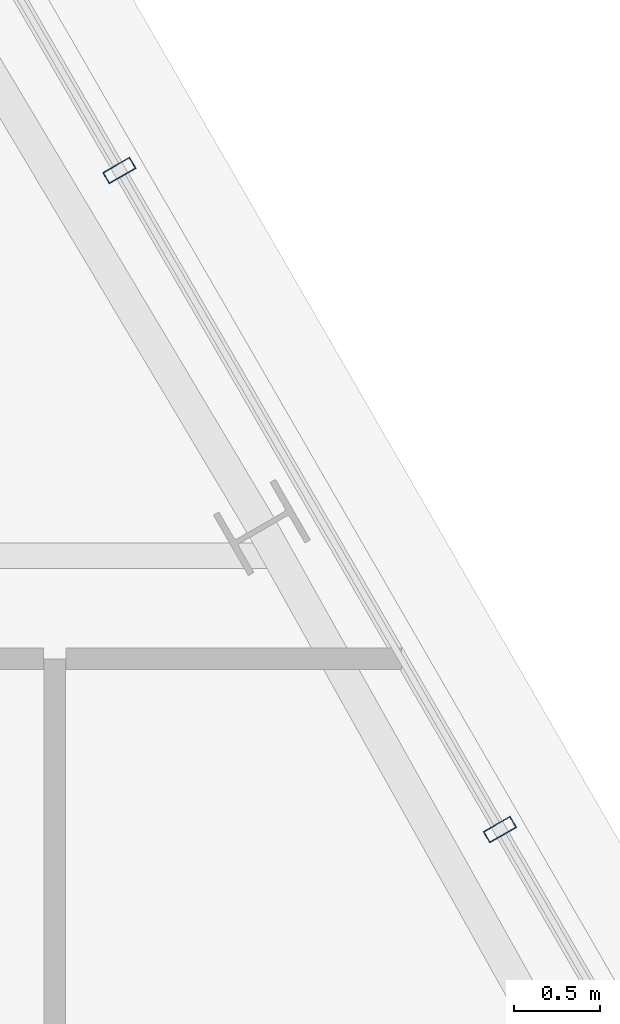
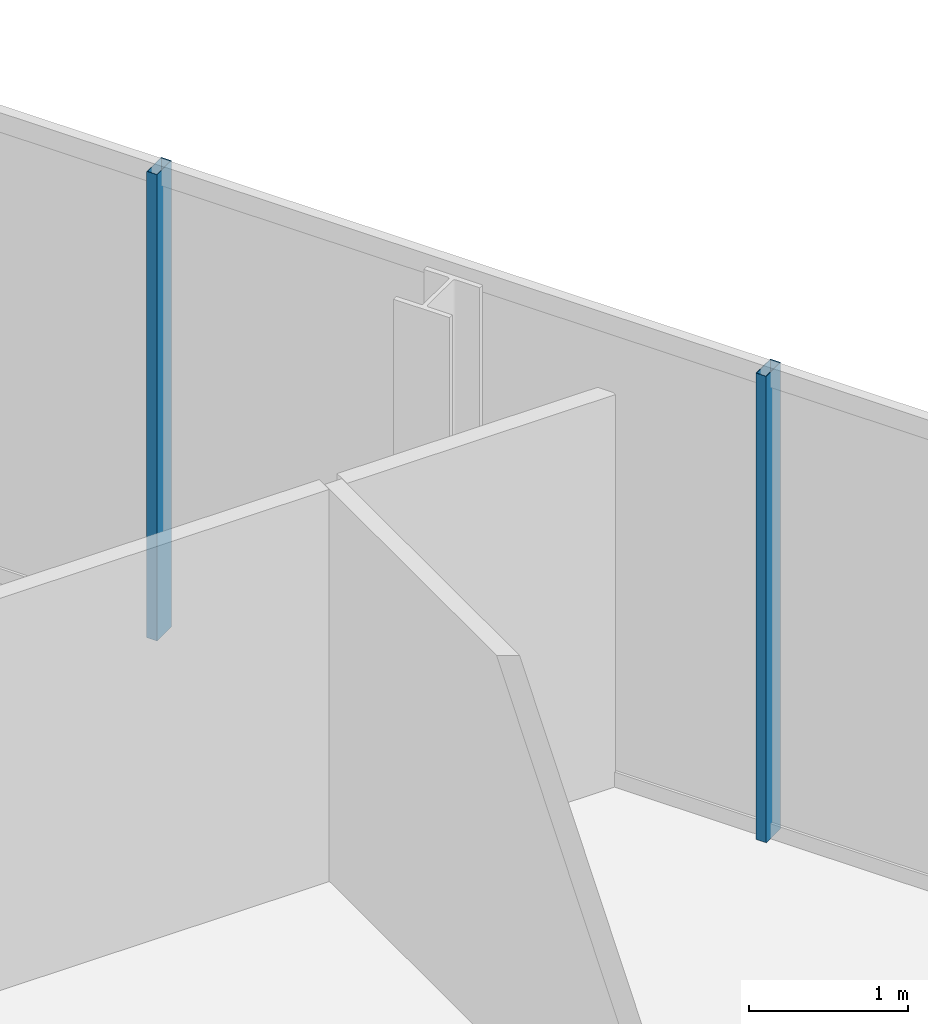
# One storey, part 26 of 34: 2 members, 1 element without a shape of its own.
"""IFC4 building model written with IfcOpenShell, lengths in metres."""

from ifc_helpers import new_model, si_unit, direction, frame, origin, origin_2d, place, context, subcontext, project, spatial, hollow_rectangle, extrude, material, layer, layer_set, material_profile, profile_set, type_object, element, aggregate, save


model = new_model("IFC4")

# Units and contexts
model_context = context("Model", 3, precision=1e-05, world=origin(), true_north=direction((0.0, 1.0)))
body_context = subcontext(model_context, "Body", "Model", "MODEL_VIEW")
ifc_project = project(units=[si_unit("LENGTHUNIT", "METRE"), si_unit("AREAUNIT", "SQUARE_METRE"), si_unit("VOLUMEUNIT", "CUBIC_METRE"), si_unit("PLANEANGLEUNIT", "RADIAN"), si_unit("MASSUNIT", "GRAM", prefix="KILO")], contexts=[model_context])

# Site, building, storey
site_placement = place(None, origin())
site = spatial("IfcSite", under=ifc_project, at=site_placement, CompositionType="ELEMENT")
building_placement = place(site_placement, origin())
building = spatial("IfcBuilding", under=site, at=building_placement, Name="Ndaravel Arena Tower", CompositionType="ELEMENT")
storey_placement = place(building_placement, frame((0.0, 0.0, 263.60009765625)))
storey = spatial("IfcBuildingStorey", under=building, at=storey_placement, Name="L64", CompositionType="ELEMENT", Elevation=263.60009765625)

# Curtain wall, members
ifc_material_1 = material(Name="Aluminium", Category="aluminium")
ifc_layer = layer(ifc_material_1, 0.179931640625)
ifc_layer_set = layer_set([ifc_layer], Name="Aluminium")
curtain_wall_type = type_object("IfcCurtainWallType", Name="CW-SYS-03", PredefinedType="NOTDEFINED", material=ifc_layer_set)
curtain_wall_placement = place(storey_placement, origin())
curtain_wall = element("IfcCurtainWall", 1, at=curtain_wall_placement, inside=storey, type_object=curtain_wall_type, Name="L64 Faceted Crystal Curtain Wall CW-L64-E03", PredefinedType="NOTDEFINED")
ifc_material_2 = material(Name="Aluminium", Category="aluminium")
ifc_material_profile = material_profile(ifc_material_2, hollow_rectangle(XDim=0.074951171875, YDim=0.179931640625, WallThickness=0.00390625, at=origin_2d()), Name="CW MULLION 75x180x4")
ifc_profile_set = profile_set([ifc_material_profile], Name="Aluminium")
member_type = type_object("IfcMemberType", Name="MEM-CW-MUL180", PredefinedType="MULLION", material=ifc_profile_set)
member_1_placement = place(storey_placement, frame((55.786376953125, 25.20849609375, 0.0), z_axis=(0.0, 0.0, 1.0), x_axis=(-0.5, 0.866025403784, 0.0)))
member_1 = element("IfcMember", 2, at=member_1_placement, type_object=member_type, Name="CW-L64-E03 Mullion 04", PredefinedType="MULLION", context=body_context, shape_type="SweptSolid", body=[
    extrude(hollow_rectangle(XDim=0.074951171875, YDim=0.179931640625, WallThickness=0.00390625, at=origin_2d()), origin(), (0.0, 0.0, 1.0), 3.579833984375),
])
member_2_placement = place(storey_placement, frame((53.5751953125, 29.03857421875, 0.0), z_axis=(0.0, 0.0, 1.0), x_axis=(-0.5, 0.866025403784, 0.0)))
member_2 = element("IfcMember", 3, at=member_2_placement, type_object=member_type, Name="CW-L64-E03 Mullion 05", PredefinedType="MULLION", context=body_context, shape_type="SweptSolid", body=[
    extrude(hollow_rectangle(XDim=0.074951171875, YDim=0.179931640625, WallThickness=0.00390625, at=origin_2d()), origin(), (0.0, 0.0, 1.0), 3.579833984375),
])
aggregate(curtain_wall, [member_1, member_2])

save(model, "model.ifc")
